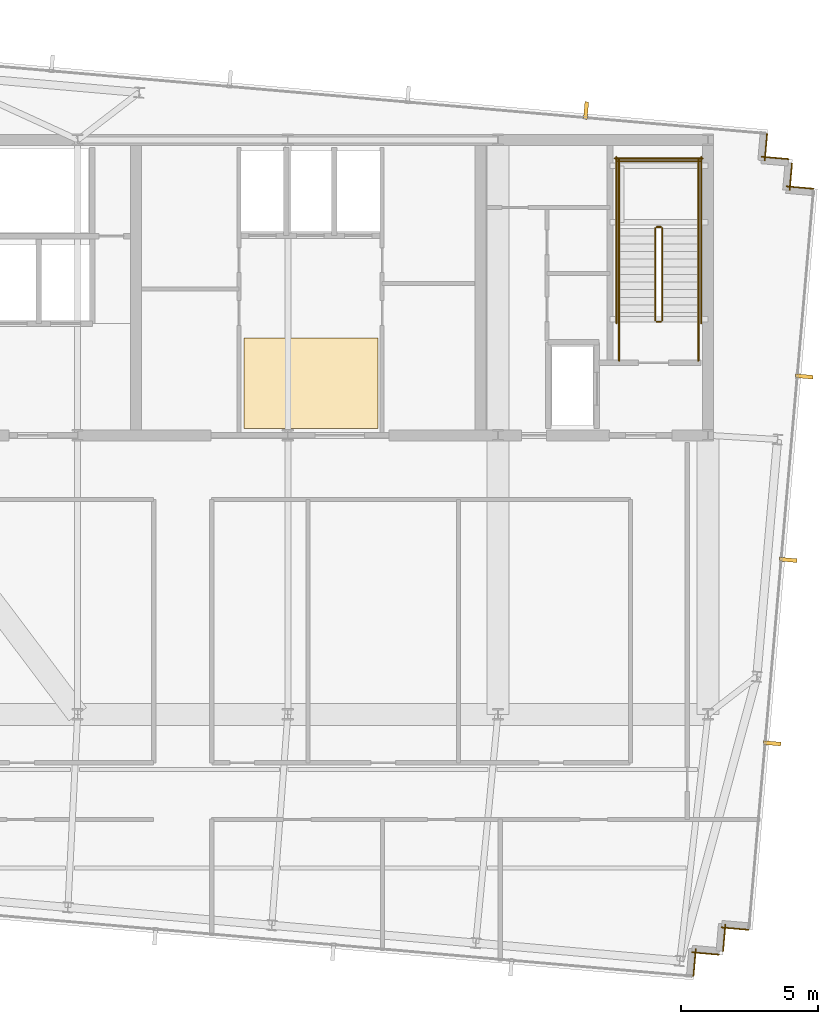
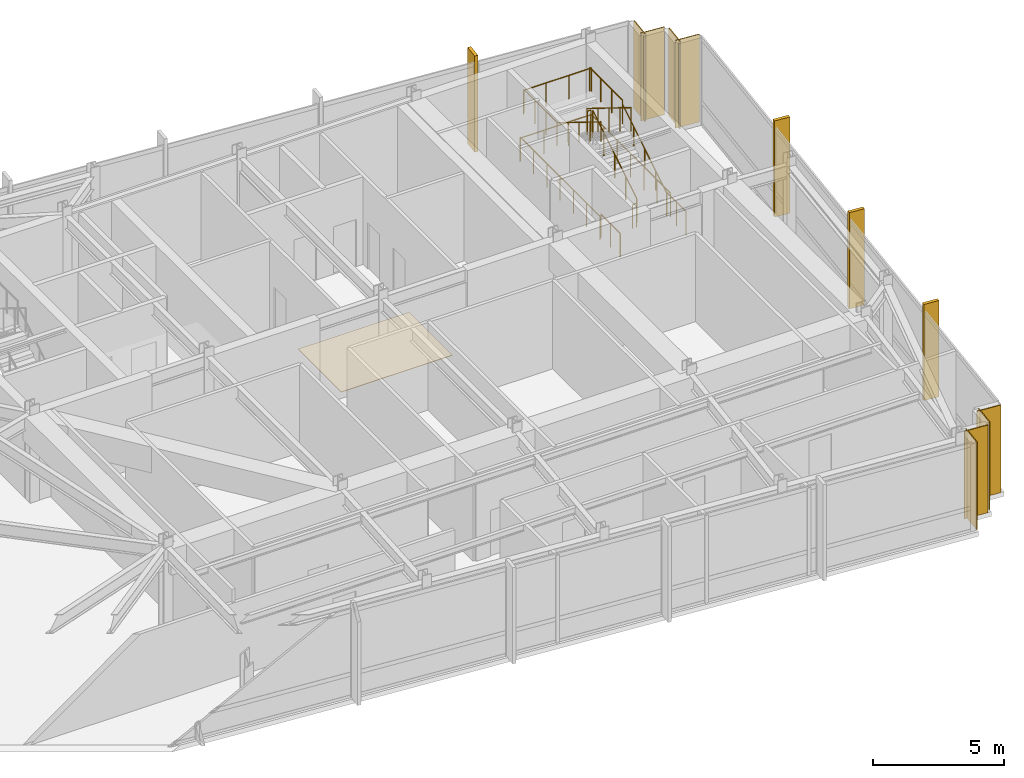
# One storey, part 24 of 25: 14 railings, 9 coverings, 4 shading devices.
"""IFC4 building model written with IfcOpenShell, lengths in metres."""

import ifcopenshell
import ifcopenshell.guid

model = None  # the IFC model being written
_history = None  # IfcOwnerHistory: only IFC2X3 demands one
_inside = {}  # id of a spatial element -> (the spatial element, [elements in it])
_under = {}  # id of a project, library or spatial element -> (it, [spatial elements below it])
_declared = {}  # id of a project -> (the project, [libraries it declares])
_typed = {}  # id of a type object -> (the type object, [elements of that type])
_made_of = {}  # id of a material, layer set ... -> (it, [elements and type objects made of it])


def new_model(schema):
    """Start an empty IFC model of exactly this schema.

    Asked for "IFC4X3", IfcOpenShell would pick the latest addendum, in which some entities
    have other attributes; the version numbers below select the first issue.
    IFC2X3 requires an IfcOwnerHistory on every rooted entity: one is made here for all.
    """
    global model, _history
    if schema == "IFC4X3":
        model = ifcopenshell.file(schema_version=(4, 3, 0, 0))
    else:
        model = ifcopenshell.file(schema=schema)
    _inside.clear()
    _under.clear()
    _declared.clear()
    _typed.clear()
    _made_of.clear()
    _history = None
    if model.schema == "IFC2X3":
        org = make("IfcOrganization", Name="unknown")
        user = make(
            "IfcPersonAndOrganization",
            ThePerson=make("IfcPerson", FamilyName="unknown"),
            TheOrganization=org,
        )
        app = make(
            "IfcApplication",
            ApplicationDeveloper=org,
            Version="unknown",
            ApplicationFullName="unknown",
            ApplicationIdentifier="unknown",
        )
        _history = make(
            "IfcOwnerHistory",
            OwningUser=user,
            OwningApplication=app,
            ChangeAction="ADDED",
            CreationDate=0,
        )
    return model


def make(cls, **values):
    """One entity of the class cls with the attributes given. An attribute that is None is left unset."""
    return model.create_entity(
        cls, **{name: value for name, value in values.items() if value is not None}
    )


def rooted(cls, **values):
    """An entity with a GlobalId (a new one), such as an element, a storey or a relation."""
    return make(cls, GlobalId=ifcopenshell.guid.new(), OwnerHistory=_history, **values)


def si_unit(unit_type, name, prefix=None):
    """IfcSIUnit, for example si_unit("LENGTHUNIT", "METRE", prefix="MILLI")."""
    return make("IfcSIUnit", UnitType=unit_type, Prefix=prefix, Name=name)


def assignment(units):
    """IfcUnitAssignment: the units of a project."""
    return None if units is None else make("IfcUnitAssignment", Units=units)


def point(xyz):
    """IfcCartesianPoint."""
    return None if xyz is None else make("IfcCartesianPoint", Coordinates=xyz)


def direction(xyz):
    """IfcDirection."""
    return None if xyz is None else make("IfcDirection", DirectionRatios=xyz)


def frame(location, z_axis=None, x_axis=None):
    """IfcAxis2Placement3D, a coordinate frame: its origin and axes. An axis left out is left unset."""
    return make(
        "IfcAxis2Placement3D",
        Location=point(location),
        Axis=direction(z_axis),
        RefDirection=direction(x_axis),
    )


def frame_2d(location, x_axis=None):
    """IfcAxis2Placement2D, a coordinate frame in the plane: its origin and x axis."""
    return make(
        "IfcAxis2Placement2D", Location=point(location), RefDirection=direction(x_axis)
    )


def origin():
    """The frame at (0, 0, 0) with its axes left unset."""
    return frame((0.0, 0.0, 0.0))


def origin_2d():
    """The frame at (0, 0) in the plane with its x axis left unset."""
    return frame_2d((0.0, 0.0))


def place(relative_to, where):
    """IfcLocalPlacement: puts the frame where relative to a parent placement (None: the world)."""
    return make(
        "IfcLocalPlacement", PlacementRelTo=relative_to, RelativePlacement=where
    )


def context(
    kind, dimensions, precision=None, world=None, true_north=None, identifier=None
):
    """IfcGeometricRepresentationContext, for example the 3D "Model" context."""
    return make(
        "IfcGeometricRepresentationContext",
        ContextIdentifier=identifier,
        ContextType=kind,
        CoordinateSpaceDimension=dimensions,
        Precision=precision,
        WorldCoordinateSystem=world,
        TrueNorth=true_north,
    )


def subcontext(parent, identifier, kind, view, scale=None):
    """IfcGeometricRepresentationSubContext, for example "Body" below "Model"."""
    return make(
        "IfcGeometricRepresentationSubContext",
        ContextIdentifier=identifier,
        ContextType=kind,
        ParentContext=parent,
        TargetScale=scale,
        TargetView=view,
    )


def project(units=None, contexts=None):
    """IfcProject with its units and contexts."""
    return rooted(
        "IfcProject",
        Name="project",
        RepresentationContexts=contexts,
        UnitsInContext=assignment(units),
    )


def spatial(cls, under=None, at=None, **own):
    """A site, building, storey or space (cls), placed at a placement, below another one or the project."""
    s = rooted(cls, ObjectPlacement=at, **own)
    if under is not None:
        _under.setdefault(under.id(), (under, []))[1].append(s)
    return s


def polyline(points):
    """IfcPolyline through the points."""
    return make("IfcPolyline", Points=[point(p) for p in points])


def profile(cls, at=None, kind="AREA", **sizes):
    """A parametric profile (cls). Its sizes go by their IFC names, for example OverallWidth=200.0."""
    return make(cls, ProfileType=kind, Position=at, **sizes)


def rectangle(**sizes):
    """IfcRectangleProfileDef."""
    return profile("IfcRectangleProfileDef", **sizes)


def circle(**sizes):
    """IfcCircleProfileDef."""
    return profile("IfcCircleProfileDef", **sizes)


def outline(outer, holes=None, kind="AREA"):
    """IfcArbitraryClosedProfileDef: a profile drawn as a closed curve; with holes, ...WithVoids."""
    if holes is None:
        return make("IfcArbitraryClosedProfileDef", ProfileType=kind, OuterCurve=outer)
    return make(
        "IfcArbitraryProfileDefWithVoids",
        ProfileType=kind,
        OuterCurve=outer,
        InnerCurves=holes,
    )


def extrude(swept, where, along, depth):
    """IfcExtrudedAreaSolid: the profile swept, set in the frame where, extruded along a direction by depth."""
    return make(
        "IfcExtrudedAreaSolid",
        SweptArea=swept,
        Position=where,
        ExtrudedDirection=direction(along),
        Depth=depth,
    )


def shape(context_of_items, identifier, shape_type, items):
    """IfcShapeRepresentation: the items that make up one representation, for example the "Body"."""
    return make(
        "IfcShapeRepresentation",
        ContextOfItems=context_of_items,
        RepresentationIdentifier=identifier,
        RepresentationType=shape_type,
        Items=items,
    )


def material(Name=None, Category=None):
    """IfcMaterial."""
    return make("IfcMaterial", Name=Name, Category=Category)


def layer(
    of_material, thickness, ventilated=None, Name=None, Category=None, Priority=None
):
    """IfcMaterialLayer: one layer of a wall or slab, of a material (None: an air gap)."""
    return make(
        "IfcMaterialLayer",
        Material=of_material,
        LayerThickness=thickness,
        IsVentilated=ventilated,
        Name=Name,
        Category=Category,
        Priority=Priority,
    )


def layer_set(layers, Name=None):
    """IfcMaterialLayerSet."""
    return make("IfcMaterialLayerSet", MaterialLayers=layers, LayerSetName=Name)


def made_of(thing, what):
    """Note that an element or type object is made of a material, layer set ...; save() writes the relation."""
    if what is not None:
        _made_of.setdefault(what.id(), (what, []))[1].append(thing)
    return thing


def type_object(cls, material=None, **own):
    """A type object (cls), such as IfcWallType, which elements share."""
    return made_of(rooted(cls, **own), material)


def element(
    cls,
    number,
    at=None,
    inside=None,
    cuts=None,
    type_object=None,
    material=None,
    context=None,
    identifier="Body",
    shape_type=None,
    held_by="IfcProductDefinitionShape",
    body=None,
    shapes=None,
    **own,
):
    """One element of the class cls, such as IfcWall. Its Tag is "e" and its number.

    at: its placement. inside: the storey or other place that contains it. cuts: it is an
    opening in that element (IfcRelVoidsElement). A single representation is given by context,
    identifier, shape_type and body (its items); several are given by shapes. held_by: the class
    of the entity that holds the representations. save() writes the other relations.
    """
    e = rooted(cls, Tag="e%d" % number, ObjectPlacement=at, **own)
    if body is not None:
        shapes = [shape(context, identifier, shape_type, body)]
    if shapes is not None:
        e.Representation = make(held_by, Representations=shapes)
    if inside is not None:
        _inside.setdefault(inside.id(), (inside, []))[1].append(e)
    if cuts is not None:
        rooted(
            "IfcRelVoidsElement", RelatingBuildingElement=cuts, RelatedOpeningElement=e
        )
    if type_object is not None:
        _typed.setdefault(type_object.id(), (type_object, []))[1].append(e)
    return made_of(e, material)


def aggregate(whole, parts):
    """IfcRelAggregates: a whole, such as a stair, and the parts it consists of."""
    return rooted("IfcRelAggregates", RelatingObject=whole, RelatedObjects=parts)


def save(model, path):
    """Write the relations noted so far, then the file.

    IfcRelAggregates (storeys below a building ...), IfcRelContainedInSpatialStructure (elements
    in a storey), IfcRelDefinesByType, IfcRelAssociatesMaterial and IfcRelDeclares: one each for
    every whole, place, type object, material and project.
    """
    for whole, parts in _under.values():
        aggregate(whole, parts)
    for where, things in _inside.values():
        rooted(
            "IfcRelContainedInSpatialStructure",
            RelatedElements=things,
            RelatingStructure=where,
        )
    for kind, things in _typed.values():
        rooted("IfcRelDefinesByType", RelatedObjects=things, RelatingType=kind)
    for what, things in _made_of.values():
        rooted("IfcRelAssociatesMaterial", RelatedObjects=things, RelatingMaterial=what)
    for by, libraries in _declared.values():
        rooted("IfcRelDeclares", RelatingContext=by, RelatedDefinitions=libraries)
    model.write(path)


model = new_model("IFC4")

# Units and contexts
model_context = context("Model", 3, precision=1e-05, world=origin(), true_north=direction((0.0, 1.0)))
body_context = subcontext(model_context, "Body", "Model", "MODEL_VIEW")
ifc_project = project(units=[si_unit("LENGTHUNIT", "METRE"), si_unit("AREAUNIT", "SQUARE_METRE"), si_unit("VOLUMEUNIT", "CUBIC_METRE"), si_unit("PLANEANGLEUNIT", "RADIAN"), si_unit("MASSUNIT", "GRAM", prefix="KILO")], contexts=[model_context])

# Site, building, storey
site_placement = place(None, origin())
site = spatial("IfcSite", under=ifc_project, at=site_placement, CompositionType="ELEMENT")
building_placement = place(site_placement, origin())
building = spatial("IfcBuilding", under=site, at=building_placement, Name="Yelkora Congress Tower", CompositionType="ELEMENT")
storey_placement = place(building_placement, frame((0.0, 0.0, 299.89990234375)))
storey = spatial("IfcBuildingStorey", under=building, at=storey_placement, Name="L84", CompositionType="ELEMENT", Elevation=299.89990234375)

# Coverings
ifc_material_1 = material(Name="Anatolian bush-hammered limestone", Category="masonry")
ifc_layer_1 = layer(ifc_material_1, 0.0400390625)
ifc_layer_set_1 = layer_set([ifc_layer_1], Name="Anatolian bush-hammered limestone")
covering_type_1 = type_object("IfcCoveringType", Name="COV-CLAD-SPANDREL-40", PredefinedType="CLADDING", material=ifc_layer_set_1)
for number, where, z_axis, x_axis, name in (
    (1, (55.92041015625, 46.431396484375, 0.0), (0.0, 0.0, 1.0), (-0.086903493655, -0.996216734848, 0.0), "L84 Anatolian Limestone Cladding EW-L84-SR11"),
    (2, (55.710693359375, 45.581298828125, 0.0), (0.0, 0.0, 1.0), (0.996193717496, -0.087166950281, 0.0), "L84 Anatolian Limestone Cladding EW-L84-SR12"),
    (3, (56.82958984375, 45.347900390625, 0.0), (0.0, 0.0, 1.0), (-0.087166950281, -0.996193717496, 0.0), "L84 Anatolian Limestone Cladding EW-L84-SR13"),
):
    element("IfcCovering", number, at=place(storey_placement, frame(where, z_axis=z_axis, x_axis=x_axis)), inside=storey, type_object=covering_type_1, Name=name, PredefinedType="CLADDING", context=body_context, shape_type="SweptSolid", body=[
        extrude(rectangle(XDim=1.0, YDim=0.0400390625, at=frame_2d((0.5, 0.0))), origin(), (0.0, 0.0, 1.0), 4.080078125),
    ])
covering_1_placement = place(storey_placement, frame((56.61962890625, 44.498046875, 0.0), z_axis=(0.0, 0.0, 1.0), x_axis=(0.996195572005, -0.087145753297, 0.0)))
element("IfcCovering", 4, at=covering_1_placement, inside=storey, type_object=covering_type_1, Name="L84 Anatolian Limestone Cladding EW-L84-SR14", PredefinedType="CLADDING", context=body_context, shape_type="SweptSolid", body=[
    extrude(rectangle(XDim=1.000244140625, YDim=0.0400390625, at=frame_2d((0.5, 0.0))), origin(), (0.0, 0.0, 1.0), 4.080078125),
])
for number, where, z_axis, x_axis, name in (
    (5, (55.24609375, 17.32421875, 0.0), (0.0, 0.0, 1.0), (-0.99617248636, 0.08740925248, 0.0), "L84 Anatolian Limestone Cladding EW-L84-SR16"),
    (6, (54.396240234375, 17.5341796875, 0.0), (0.0, 0.0, 1.0), (-0.087166950281, -0.996193717496, 0.0), "L84 Anatolian Limestone Cladding EW-L84-SR17"),
):
    element("IfcCovering", number, at=place(storey_placement, frame(where, z_axis=z_axis, x_axis=x_axis)), inside=storey, type_object=covering_type_1, Name=name, PredefinedType="CLADDING", context=body_context, shape_type="SweptSolid", body=[
        extrude(rectangle(XDim=1.0, YDim=0.0400390625, at=frame_2d((0.5, 0.0))), origin(), (0.0, 0.0, 1.0), 4.080078125),
    ])
covering_2_placement = place(storey_placement, frame((54.162841796875, 16.415283203125, 0.0), z_axis=(0.0, 0.0, 1.0), x_axis=(-0.996195572005, 0.087145753297, 0.0)))
element("IfcCovering", 7, at=covering_2_placement, inside=storey, type_object=covering_type_1, Name="L84 Anatolian Limestone Cladding EW-L84-SR18", PredefinedType="CLADDING", context=body_context, shape_type="SweptSolid", body=[
    extrude(rectangle(XDim=1.000244140625, YDim=0.0400390625, at=frame_2d((0.5, 0.0))), origin(), (0.0, 0.0, 1.0), 4.080078125),
])
covering_3_placement = place(storey_placement, frame((53.312744140625, 16.625, 0.0), z_axis=(0.0, 0.0, 1.0), x_axis=(-0.087166950281, -0.996193717496, 0.0)))
element("IfcCovering", 8, at=covering_3_placement, inside=storey, type_object=covering_type_1, Name="L84 Anatolian Limestone Cladding EW-L84-SR19", PredefinedType="CLADDING", context=body_context, shape_type="SweptSolid", body=[
    extrude(rectangle(XDim=1.0, YDim=0.0400390625, at=frame_2d((0.5, 0.0))), origin(), (0.0, 0.0, 1.0), 4.080078125),
])
ifc_material_2 = material(Name="Polished Anatolian grey granite tile", Category="masonry")
ifc_layer_2 = layer(ifc_material_2, 0.02001953125)
ifc_layer_set_2 = layer_set([ifc_layer_2], Name="Polished Anatolian grey granite tile")
covering_type_2 = type_object("IfcCoveringType", Name="COV-FLOOR-GRANITE-20", PredefinedType="FLOORING", material=ifc_layer_set_2)
covering_4_placement = place(storey_placement, origin())
element("IfcCovering", 9, at=covering_4_placement, inside=storey, type_object=covering_type_2, Name="L84 Lift Lobby Granite Flooring", PredefinedType="FLOORING", context=body_context, shape_type="SweptSolid", body=[
    extrude(outline(polyline([(36.800048828125, 35.64990234375), (41.699951171875, 35.64990234375), (41.699951171875, 38.949951171875), (36.800048828125, 38.949951171875), (36.800048828125, 35.64990234375)])), origin(), (0.0, 0.0, 1.0), 0.02001953125),
])

# Railings
ifc_material_3 = material(Name="Painted galvanised steel stair well guard with vertical infill", Category="steel")
ifc_layer_3 = layer(ifc_material_3, 0.06005859375)
ifc_layer_set_3 = layer_set([ifc_layer_3], Name="Painted galvanised steel stair well guard with vertical infill")
railing_type_1 = type_object("IfcRailingType", Name="RAIL-STAIR-GUARD-1120", PredefinedType="GUARDRAIL", material=ifc_layer_set_3)
railing_1_placement = place(storey_placement, frame((52.090087890625, 39.60009765625, 0.173095703125)))
element("IfcRailing", 10, at=railing_1_placement, inside=storey, type_object=railing_type_1, Name="ST-02 L84 Stair Well Guardrail 1", PredefinedType="GUARDRAIL", context=body_context, shape_type="SweptSolid", body=[
    extrude(circle(Radius=0.02392578125, at=origin_2d()), frame((0.0, 0.0, 1.09619140625), z_axis=(0.0, 0.850606129759, 0.525803396734), x_axis=(-1.0, 0.0, 0.0)), (0.0, 0.0, 1.0), 3.949951171875),
    extrude(circle(Radius=0.02099609375, at=origin_2d()), origin(), (0.0, 0.0, 1.0), 1.072021484375),
    extrude(circle(Radius=0.02099609375, at=origin_2d()), frame((0.0, 0.83984375, 0.519287109375)), (0.0, 0.0, 1.0), 1.072021484375),
    extrude(circle(Radius=0.02099609375, at=origin_2d()), frame((0.0, 1.679931640625, 1.03857421875)), (0.0, 0.0, 1.0), 1.072021484375),
    extrude(circle(Radius=0.02099609375, at=origin_2d()), frame((0.0, 2.52001953125, 1.5576171875)), (0.0, 0.0, 1.0), 1.072021484375),
    extrude(circle(Radius=0.02099609375, at=origin_2d()), frame((0.0, 3.35986328125, 2.076904296875)), (0.0, 0.0, 1.0), 1.072021484375),
])
railing_2_placement = place(storey_placement, frame((52.0400390625, 43.010009765625, 2.25)))
element("IfcRailing", 11, at=railing_2_placement, inside=storey, type_object=railing_type_1, Name="ST-02 L84 Stair Well Guardrail 2", PredefinedType="GUARDRAIL", context=body_context, shape_type="SweptSolid", body=[
    extrude(circle(Radius=0.02392578125, at=origin_2d()), frame((0.0, 0.0, 1.09619140625), z_axis=(-1.0, 0.0, 0.0), x_axis=(0.0, -1.0, 0.0)), (0.0, 0.0, 1.0), 0.16015625),
    extrude(circle(Radius=0.02099609375, at=origin_2d()), origin(), (0.0, 0.0, 1.0), 1.072021484375),
    extrude(circle(Radius=0.02099609375, at=origin_2d()), frame((-0.16015625, 0.0, 0.0)), (0.0, 0.0, 1.0), 1.072021484375),
])
for number, where, name in (
    (12, (53.409912109375, 42.9599609375, 2.25), "ST-02 L84 Stair Well Guardrail 3"),
    (13, (50.510009765625, 42.9599609375, 2.25), "ST-02 L84 Stair Well Guardrail 4"),
):
    element("IfcRailing", number, at=place(storey_placement, frame(where)), inside=storey, type_object=railing_type_1, Name=name, PredefinedType="GUARDRAIL", context=body_context, shape_type="SweptSolid", body=[
        extrude(circle(Radius=0.02392578125, at=origin_2d()), frame((0.0, 0.0, 1.09619140625), z_axis=(0.0, 1.0, 0.0), x_axis=(-1.0, 0.0, 0.0)), (0.0, 0.0, 1.0), 2.510009765625),
        extrude(circle(Radius=0.02099609375, at=origin_2d()), origin(), (0.0, 0.0, 1.0), 1.072021484375),
        extrude(circle(Radius=0.02099609375, at=origin_2d()), frame((0.0, 0.836669921875, 0.0)), (0.0, 0.0, 1.0), 1.072021484375),
        extrude(circle(Radius=0.02099609375, at=origin_2d()), frame((0.0, 1.67333984375, 0.0)), (0.0, 0.0, 1.0), 1.072021484375),
        extrude(circle(Radius=0.02099609375, at=origin_2d()), frame((0.0, 2.510009765625, 0.0)), (0.0, 0.0, 1.0), 1.072021484375),
    ])
railing_3_placement = place(storey_placement, frame((53.4599609375, 45.419921875, 2.25)))
element("IfcRailing", 14, at=railing_3_placement, inside=storey, type_object=railing_type_1, Name="ST-02 L84 Stair Well Guardrail 5", PredefinedType="GUARDRAIL", context=body_context, shape_type="SweptSolid", body=[
    extrude(circle(Radius=0.02392578125, at=origin_2d()), frame((0.0, 0.0, 1.09619140625), z_axis=(-1.0, 0.0, 0.0), x_axis=(0.0, -1.0, 0.0)), (0.0, 0.0, 1.0), 3.0),
    extrude(circle(Radius=0.02099609375, at=origin_2d()), origin(), (0.0, 0.0, 1.0), 1.072021484375),
    extrude(circle(Radius=0.02099609375, at=origin_2d()), frame((-1.0, 0.0, 0.0)), (0.0, 0.0, 1.0), 1.072021484375),
    extrude(circle(Radius=0.02099609375, at=origin_2d()), frame((-2.0, 0.0, 0.0)), (0.0, 0.0, 1.0), 1.072021484375),
    extrude(circle(Radius=0.02099609375, at=origin_2d()), frame((-3.0, 0.0, 0.0)), (0.0, 0.0, 1.0), 1.072021484375),
])
railing_4_placement = place(storey_placement, frame((51.830078125, 42.9599609375, 2.423095703125)))
element("IfcRailing", 15, at=railing_4_placement, inside=storey, type_object=railing_type_1, Name="ST-02 L84 Stair Well Guardrail 6", PredefinedType="GUARDRAIL", context=body_context, shape_type="SweptSolid", body=[
    extrude(circle(Radius=0.02392578125, at=origin_2d()), frame((0.0, 0.0, 1.09619140625), z_axis=(0.0, -0.850606129759, 0.525803396734), x_axis=(1.0, 0.0, 0.0)), (0.0, 0.0, 1.0), 3.949951171875),
    extrude(circle(Radius=0.02099609375, at=origin_2d()), origin(), (0.0, 0.0, 1.0), 1.072021484375),
    extrude(circle(Radius=0.02099609375, at=origin_2d()), frame((0.0, -0.83984375, 0.519287109375)), (0.0, 0.0, 1.0), 1.072021484375),
    extrude(circle(Radius=0.02099609375, at=origin_2d()), frame((0.0, -1.679931640625, 1.03857421875)), (0.0, 0.0, 1.0), 1.072021484375),
    extrude(circle(Radius=0.02099609375, at=origin_2d()), frame((0.0, -2.52001953125, 1.5576171875)), (0.0, 0.0, 1.0), 1.072021484375),
    extrude(circle(Radius=0.02099609375, at=origin_2d()), frame((0.0, -3.35986328125, 2.076904296875)), (0.0, 0.0, 1.0), 1.072021484375),
])
railing_5_placement = place(storey_placement, frame((52.0400390625, 39.550048828125, 0.0)))
element("IfcRailing", 16, at=railing_5_placement, inside=storey, type_object=railing_type_1, Name="ST-02 L84 Stair Well Guardrail 7", PredefinedType="GUARDRAIL", context=body_context, shape_type="SweptSolid", body=[
    extrude(circle(Radius=0.02392578125, at=origin_2d()), frame((0.0, 0.0, 1.09619140625), z_axis=(-1.0, 0.0, 0.0), x_axis=(0.0, -1.0, 0.0)), (0.0, 0.0, 1.0), 0.16015625),
    extrude(circle(Radius=0.02099609375, at=origin_2d()), origin(), (0.0, 0.0, 1.0), 1.072021484375),
    extrude(circle(Radius=0.02099609375, at=origin_2d()), frame((-0.16015625, 0.0, 0.0)), (0.0, 0.0, 1.0), 1.072021484375),
])
for number, where, name in (
    (17, (53.409912109375, 38.1201171875, 0.0), "ST-02 L84 Stair Well Guardrail 8"),
    (18, (50.510009765625, 38.1201171875, 0.0), "ST-02 L84 Stair Well Guardrail 9"),
):
    element("IfcRailing", number, at=place(storey_placement, frame(where)), inside=storey, type_object=railing_type_1, Name=name, PredefinedType="GUARDRAIL", context=body_context, shape_type="SweptSolid", body=[
        extrude(circle(Radius=0.02392578125, at=origin_2d()), frame((0.0, 0.0, 1.09619140625), z_axis=(0.0, 1.0, 0.0), x_axis=(-1.0, 0.0, 0.0)), (0.0, 0.0, 1.0), 1.47998046875),
        extrude(circle(Radius=0.02099609375, at=origin_2d()), origin(), (0.0, 0.0, 1.0), 1.072021484375),
        extrude(circle(Radius=0.02099609375, at=origin_2d()), frame((0.0, 0.739990234375, 0.0)), (0.0, 0.0, 1.0), 1.072021484375),
        extrude(circle(Radius=0.02099609375, at=origin_2d()), frame((0.0, 1.47998046875, 0.0)), (0.0, 0.0, 1.0), 1.072021484375),
    ])
for number, where, name in (
    (19, (53.510009765625, 39.5, 0.0), "ST-02 L84 Stair Well Guardrail 10"),
    (20, (50.409912109375, 39.5, 0.0), "ST-02 L84 Stair Well Guardrail 11"),
):
    element("IfcRailing", number, at=place(storey_placement, frame(where)), inside=storey, type_object=railing_type_1, Name=name, PredefinedType="GUARDRAIL", context=body_context, shape_type="SweptSolid", body=[
        extrude(circle(Radius=0.02392578125, at=origin_2d()), frame((0.0, 0.0, 1.09619140625), z_axis=(0.0, 1.0, 0.0), x_axis=(-1.0, 0.0, 0.0)), (0.0, 0.0, 1.0), 6.070068359375),
        extrude(circle(Radius=0.02099609375, at=origin_2d()), origin(), (0.0, 0.0, 1.0), 1.072021484375),
        extrude(circle(Radius=0.02099609375, at=origin_2d()), frame((0.0, 1.01171875, 0.0)), (0.0, 0.0, 1.0), 1.072021484375),
        extrude(circle(Radius=0.02099609375, at=origin_2d()), frame((0.0, 2.0234375, 0.0)), (0.0, 0.0, 1.0), 1.072021484375),
        extrude(circle(Radius=0.02099609375, at=origin_2d()), frame((0.0, 3.03515625, 0.0)), (0.0, 0.0, 1.0), 1.072021484375),
        extrude(circle(Radius=0.02099609375, at=origin_2d()), frame((0.0, 4.046630859375, 0.0)), (0.0, 0.0, 1.0), 1.072021484375),
        extrude(circle(Radius=0.02099609375, at=origin_2d()), frame((0.0, 5.058349609375, 0.0)), (0.0, 0.0, 1.0), 1.072021484375),
        extrude(circle(Radius=0.02099609375, at=origin_2d()), frame((0.0, 6.070068359375, 0.0)), (0.0, 0.0, 1.0), 1.072021484375),
    ])
railing_6_placement = place(storey_placement, frame((53.56005859375, 45.52001953125, 0.0)))
element("IfcRailing", 21, at=railing_6_placement, inside=storey, type_object=railing_type_1, Name="ST-02 L84 Stair Well Guardrail 12", PredefinedType="GUARDRAIL", context=body_context, shape_type="SweptSolid", body=[
    extrude(circle(Radius=0.02392578125, at=origin_2d()), frame((0.0, 0.0, 1.09619140625), z_axis=(-1.0, 0.0, 0.0), x_axis=(0.0, -1.0, 0.0)), (0.0, 0.0, 1.0), 3.199951171875),
    extrude(circle(Radius=0.02099609375, at=origin_2d()), origin(), (0.0, 0.0, 1.0), 1.072021484375),
    extrude(circle(Radius=0.02099609375, at=origin_2d()), frame((-1.066650390625, 0.0, 0.0)), (0.0, 0.0, 1.0), 1.072021484375),
    extrude(circle(Radius=0.02099609375, at=origin_2d()), frame((-2.13330078125, 0.0, 0.0)), (0.0, 0.0, 1.0), 1.072021484375),
    extrude(circle(Radius=0.02099609375, at=origin_2d()), frame((-3.199951171875, 0.0, 0.0)), (0.0, 0.0, 1.0), 1.072021484375),
])
ifc_material_4 = material(Name="Brushed stainless steel tubular handrail", Category="steel")
ifc_layer_4 = layer(ifc_material_4, 0.050048828125)
ifc_layer_set_4 = layer_set([ifc_layer_4], Name="Brushed stainless steel tubular handrail")
railing_type_2 = type_object("IfcRailingType", Name="RAIL-STAIR-HAND-920", PredefinedType="HANDRAIL", material=ifc_layer_set_4)
railing_7_placement = place(storey_placement, frame((53.409912109375, 39.60009765625, 0.173095703125)))
element("IfcRailing", 22, at=railing_7_placement, inside=storey, type_object=railing_type_2, Name="ST-02 L84 Pitch Handrail 1", PredefinedType="HANDRAIL", context=body_context, shape_type="SweptSolid", body=[
    extrude(circle(Radius=0.02392578125, at=origin_2d()), frame((0.0, 0.0, 0.89599609375), z_axis=(0.0, 0.850606129759, 0.525803396734), x_axis=(-1.0, 0.0, 0.0)), (0.0, 0.0, 1.0), 3.949951171875),
    extrude(circle(Radius=0.02099609375, at=origin_2d()), origin(), (0.0, 0.0, 1.0), 0.871826171875),
    extrude(circle(Radius=0.02099609375, at=origin_2d()), frame((0.0, 0.83984375, 0.519287109375)), (0.0, 0.0, 1.0), 0.871826171875),
    extrude(circle(Radius=0.02099609375, at=origin_2d()), frame((0.0, 1.679931640625, 1.03857421875)), (0.0, 0.0, 1.0), 0.871826171875),
    extrude(circle(Radius=0.02099609375, at=origin_2d()), frame((0.0, 2.52001953125, 1.5576171875)), (0.0, 0.0, 1.0), 0.871826171875),
    extrude(circle(Radius=0.02099609375, at=origin_2d()), frame((0.0, 3.35986328125, 2.076904296875)), (0.0, 0.0, 1.0), 0.871826171875),
])
railing_8_placement = place(storey_placement, frame((50.510009765625, 42.9599609375, 2.423095703125)))
element("IfcRailing", 23, at=railing_8_placement, inside=storey, type_object=railing_type_2, Name="ST-02 L84 Pitch Handrail 2", PredefinedType="HANDRAIL", context=body_context, shape_type="SweptSolid", body=[
    extrude(circle(Radius=0.02392578125, at=origin_2d()), frame((0.0, 0.0, 0.89599609375), z_axis=(0.0, -0.850606129759, 0.525803396734), x_axis=(1.0, 0.0, 0.0)), (0.0, 0.0, 1.0), 3.949951171875),
    extrude(circle(Radius=0.02099609375, at=origin_2d()), origin(), (0.0, 0.0, 1.0), 0.871826171875),
    extrude(circle(Radius=0.02099609375, at=origin_2d()), frame((0.0, -0.83984375, 0.519287109375)), (0.0, 0.0, 1.0), 0.871826171875),
    extrude(circle(Radius=0.02099609375, at=origin_2d()), frame((0.0, -1.679931640625, 1.03857421875)), (0.0, 0.0, 1.0), 0.871826171875),
    extrude(circle(Radius=0.02099609375, at=origin_2d()), frame((0.0, -2.52001953125, 1.5576171875)), (0.0, 0.0, 1.0), 0.871826171875),
    extrude(circle(Radius=0.02099609375, at=origin_2d()), frame((0.0, -3.35986328125, 2.076904296875)), (0.0, 0.0, 1.0), 0.871826171875),
])

# Shading devices
ifc_material_5 = material(Name="Champagne anodised aluminium", Category="aluminium")
ifc_layer_5 = layer(ifc_material_5, 3.39990234375)
ifc_layer_set_5 = layer_set([ifc_layer_5], Name="Champagne anodised aluminium")
shading_device_type = type_object("IfcShadingDeviceType", Name="SHD-FIN-ALU-640", PredefinedType="USERDEFINED", material=ifc_layer_set_5)
for number, where, z_axis, x_axis, name in (
    (24, (49.302001953125, 47.271240234375, -0.02978515625), (0.0, 0.0, 1.0), (0.996194698092, -0.087155742748, 0.0), "L84 Vertical Anodised Solar Fin 10-6"),
    (25, (57.276611328125, 37.54931640625, -0.02978515625), (0.0, 0.0, 1.0), (-0.087155742748, -0.996194698092, 0.0), "L84 Vertical Anodised Solar Fin 15-1"),
    (26, (56.68994140625, 30.844970703125, -0.02978515625), (0.0, 0.0, 1.0), (-0.087155742748, -0.996194698092, 0.0), "L84 Vertical Anodised Solar Fin 15-2"),
    (27, (56.103515625, 24.140380859375, -0.02978515625), (0.0, 0.0, 1.0), (-0.087155742748, -0.996194698092, 0.0), "L84 Vertical Anodised Solar Fin 15-3"),
):
    element("IfcShadingDevice", number, at=place(storey_placement, frame(where, z_axis=z_axis, x_axis=x_axis)), inside=storey, type_object=shading_device_type, Name=name, ObjectType="FIN", PredefinedType="USERDEFINED", context=body_context, shape_type="SweptSolid", body=[
        extrude(rectangle(XDim=0.139892578125, YDim=0.639892578125, at=origin_2d()), origin(), (0.0, 0.0, 1.0), 4.47998046875),
    ])

save(model, "model.ifc")
